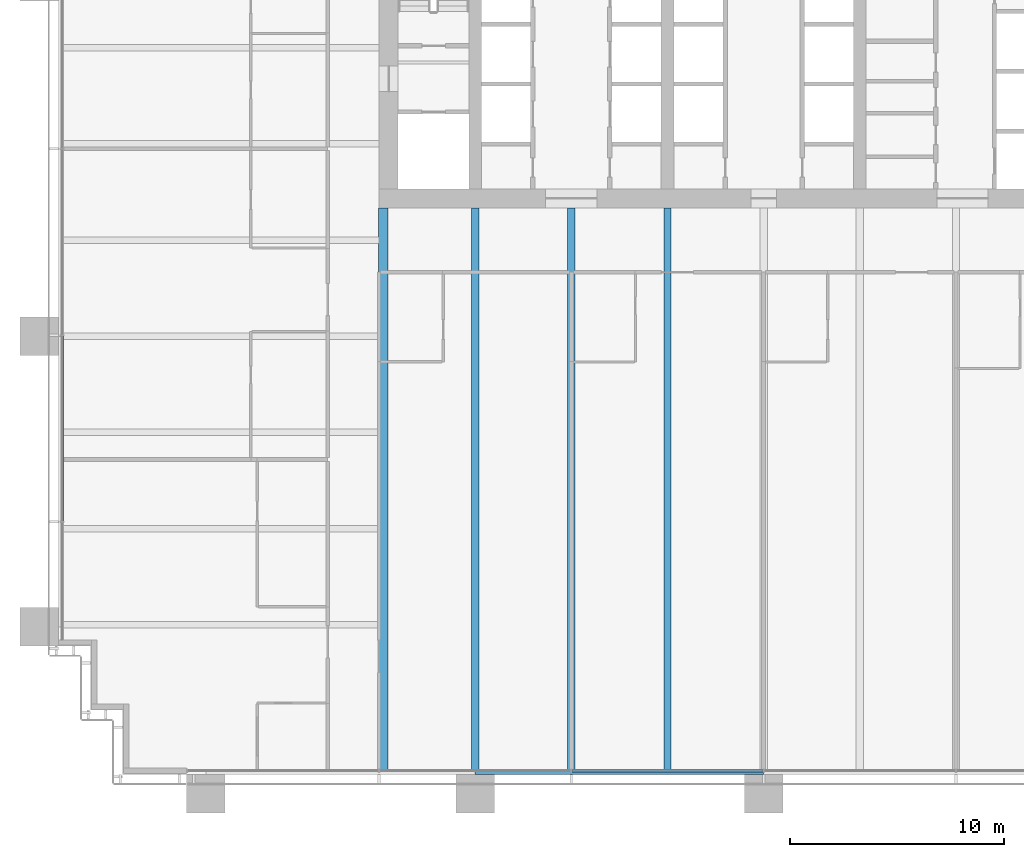
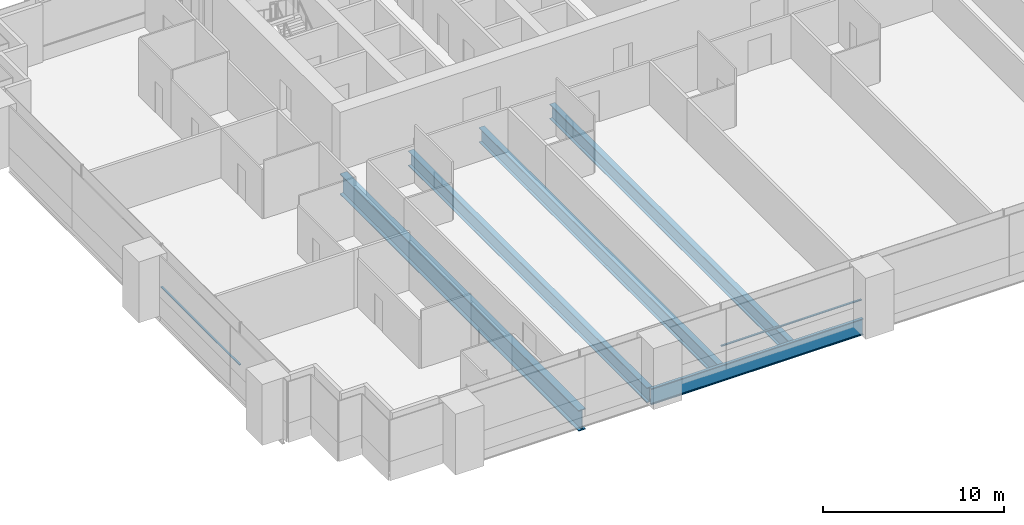
# One storey, part 3 of 19: 5 beams, 2 members, 2 elements without a shape of their own.
"""IFC4 building model written with IfcOpenShell, lengths in metres."""

from ifc_helpers import new_model, si_unit, direction, frame, origin, origin_2d, place, context, subcontext, project, spatial, rectangle, i_section, extrude, material, material_profile, profile_set, type_object, element, aggregate, save


model = new_model("IFC4")

# Units and contexts
model_context = context("Model", 3, precision=1e-05, world=origin(), true_north=direction((0.0, 1.0)))
body_context = subcontext(model_context, "Body", "Model", "MODEL_VIEW")
ifc_project = project(units=[si_unit("LENGTHUNIT", "METRE"), si_unit("AREAUNIT", "SQUARE_METRE"), si_unit("VOLUMEUNIT", "CUBIC_METRE"), si_unit("PLANEANGLEUNIT", "RADIAN"), si_unit("MASSUNIT", "GRAM", prefix="KILO")], contexts=[model_context])

# Site, building, storey
site_placement = place(None, origin())
site = spatial("IfcSite", under=ifc_project, at=site_placement, CompositionType="ELEMENT")
building_placement = place(site_placement, origin())
building = spatial("IfcBuilding", under=site, at=building_placement, Name="Rattan Terrace Tower", CompositionType="ELEMENT")
storey_placement = place(building_placement, frame((0.0, 0.0, 65.199951171875)))
storey = spatial("IfcBuildingStorey", under=building, at=storey_placement, Name="L14", CompositionType="ELEMENT", Elevation=65.199951171875)

# Curtain wall, member
ifc_material_1 = material(Name="Aluminium and glass", Category="aluminium")
curtain_wall_type = type_object("IfcCurtainWallType", Name="Facade Unitised Curtain Wall", PredefinedType="NOTDEFINED", material=ifc_material_1)
curtain_wall_1_placement = place(storey_placement, origin())
curtain_wall_1 = element("IfcCurtainWall", 1, at=curtain_wall_1_placement, inside=storey, type_object=curtain_wall_type, Name="Curtain wall L14-3", PredefinedType="NOTDEFINED")
ifc_material_2 = material(Name="Aluminium", Category="aluminium")
ifc_material_profile_1 = material_profile(ifc_material_2, rectangle(XDim=0.1201171875, YDim=0.06005859375, at=origin_2d()), Name="Aluminium 120x60")
ifc_profile_set_1 = profile_set([ifc_material_profile_1], Name="Aluminium")
member_type = type_object("IfcMemberType", Name="Facade CW Transom 120x60", PredefinedType="USERDEFINED", material=ifc_profile_set_1)
member_1_placement = place(storey_placement, frame((-32.830078125, -13.48388671875, 1.0), z_axis=(0.0, -1.0, 0.0), x_axis=(1.0, 0.0, 0.0)))
member_1 = element("IfcMember", 2, at=member_1_placement, type_object=member_type, Name="Transom cwl-L14-003.3", ObjectType="TRANSOM", PredefinedType="USERDEFINED", context=body_context, shape_type="SweptSolid", body=[
    extrude(rectangle(XDim=0.1201171875, YDim=0.06005859375, at=origin_2d()), origin(), (0.0, 0.0, 1.0), 8.6669921875),
])
aggregate(curtain_wall_1, [member_1])

curtain_wall_2_placement = place(storey_placement, origin())
curtain_wall_2 = element("IfcCurtainWall", 3, at=curtain_wall_2_placement, inside=storey, type_object=curtain_wall_type, Name="Curtain wall L14-4", PredefinedType="NOTDEFINED")
member_2_placement = place(storey_placement, frame((-8.969970703125, -33.830078125, 1.0), z_axis=(1.0, 0.0, 0.0), x_axis=(0.0, 1.0, 0.0)))
member_2 = element("IfcMember", 4, at=member_2_placement, type_object=member_type, Name="Transom cwl-L14-004.3", ObjectType="TRANSOM", PredefinedType="USERDEFINED", context=body_context, shape_type="SweptSolid", body=[
    extrude(rectangle(XDim=0.1201171875, YDim=0.06005859375, at=origin_2d()), origin(), (0.0, 0.0, 1.0), 8.93994140625),
])
aggregate(curtain_wall_2, [member_2])

# Beams
ifc_material_3 = material(Name="Steel S460", Category="steel")
ifc_material_profile_2 = material_profile(ifc_material_3, i_section(OverallWidth=0.449951171875, OverallDepth=1.39990234375, WebThickness=0.02197265625, FlangeThickness=0.054931640625, at=origin_2d()), Name="PG 1400x450-22-55")
ifc_profile_set_2 = profile_set([ifc_material_profile_2], Name="Steel S460")
beam_type_1 = type_object("IfcBeamType", Name="Frame core girder PG 1400x450-22-55", PredefinedType="BEAM", material=ifc_profile_set_2)
beam_1_placement = place(storey_placement, frame((-17.800048828125, -33.820068359375, -0.89990234375), z_axis=(0.0, 1.0, 0.0), x_axis=(-1.0, 0.0, 0.0)))
element("IfcBeam", 5, at=beam_1_placement, inside=storey, type_object=beam_type_1, Name="gdr-L14-013", PredefinedType="BEAM", context=body_context, shape_type="SweptSolid", body=[
    extrude(i_section(OverallWidth=0.449951171875, OverallDepth=1.39990234375, WebThickness=0.02197265625, FlangeThickness=0.054931640625, at=origin_2d()), origin(), (0.0, 0.0, 1.0), 26.320068359375),
])
ifc_material_4 = material(Name="Steel S460", Category="steel")
ifc_material_profile_3 = material_profile(ifc_material_4, i_section(OverallWidth=0.179931640625, OverallDepth=1.10009765625, WebThickness=0.01611328125, FlangeThickness=0.050048828125, at=origin_2d()), Name="PG 1100x180-16-50")
ifc_profile_set_3 = profile_set([ifc_material_profile_3], Name="Steel S460")
beam_type_2 = type_object("IfcBeamType", Name="Frame edge girder PG 1100x180-16-50", PredefinedType="SPANDREL", material=ifc_profile_set_3)
beam_2_placement = place(storey_placement, frame((-13.5, -33.909912109375, -0.75), z_axis=(1.0, 0.0, 0.0), x_axis=(0.0, 1.0, 0.0)))
element("IfcBeam", 6, at=beam_2_placement, inside=storey, type_object=beam_type_2, Name="gdr-L14-002", PredefinedType="SPANDREL", context=body_context, shape_type="SweptSolid", body=[
    extrude(i_section(OverallWidth=0.179931640625, OverallDepth=1.10009765625, WebThickness=0.01611328125, FlangeThickness=0.050048828125, at=origin_2d()), origin(), (0.0, 0.0, 1.0), 13.5),
])
ifc_material_5 = material(Name="Steel S460", Category="steel")
ifc_material_profile_4 = material_profile(ifc_material_5, i_section(OverallWidth=0.35009765625, OverallDepth=1.0, WebThickness=0.01611328125, FlangeThickness=0.044921875, at=origin_2d()), Name="PG 1000x350-16-45")
ifc_profile_set_4 = profile_set([ifc_material_profile_4], Name="Steel S460")
beam_type_3 = type_object("IfcBeamType", Name="Frame floor beam PG 1000x350-16-45", PredefinedType="JOIST", material=ifc_profile_set_4)
for number, where, z_axis, x_axis, name in (
    (7, (-13.5, -33.820068359375, -0.699951171875), (0.0, 1.0, 0.0), (-1.0, 0.0, 0.0), "bm-L14-003"),
    (8, (-9.0, -33.820068359375, -0.699951171875), (0.0, 1.0, 0.0), (-1.0, 0.0, 0.0), "bm-L14-004"),
    (9, (-4.5, -33.820068359375, -0.699951171875), (0.0, 1.0, 0.0), (-1.0, 0.0, 0.0), "bm-L14-005"),
):
    element("IfcBeam", number, at=place(storey_placement, frame(where, z_axis=z_axis, x_axis=x_axis)), inside=storey, type_object=beam_type_3, Name=name, PredefinedType="JOIST", context=body_context, shape_type="SweptSolid", body=[
        extrude(i_section(OverallWidth=0.35009765625, OverallDepth=1.0, WebThickness=0.01611328125, FlangeThickness=0.044921875, at=origin_2d()), origin(), (0.0, 0.0, 1.0), 26.320068359375),
    ])

save(model, "model.ifc")
